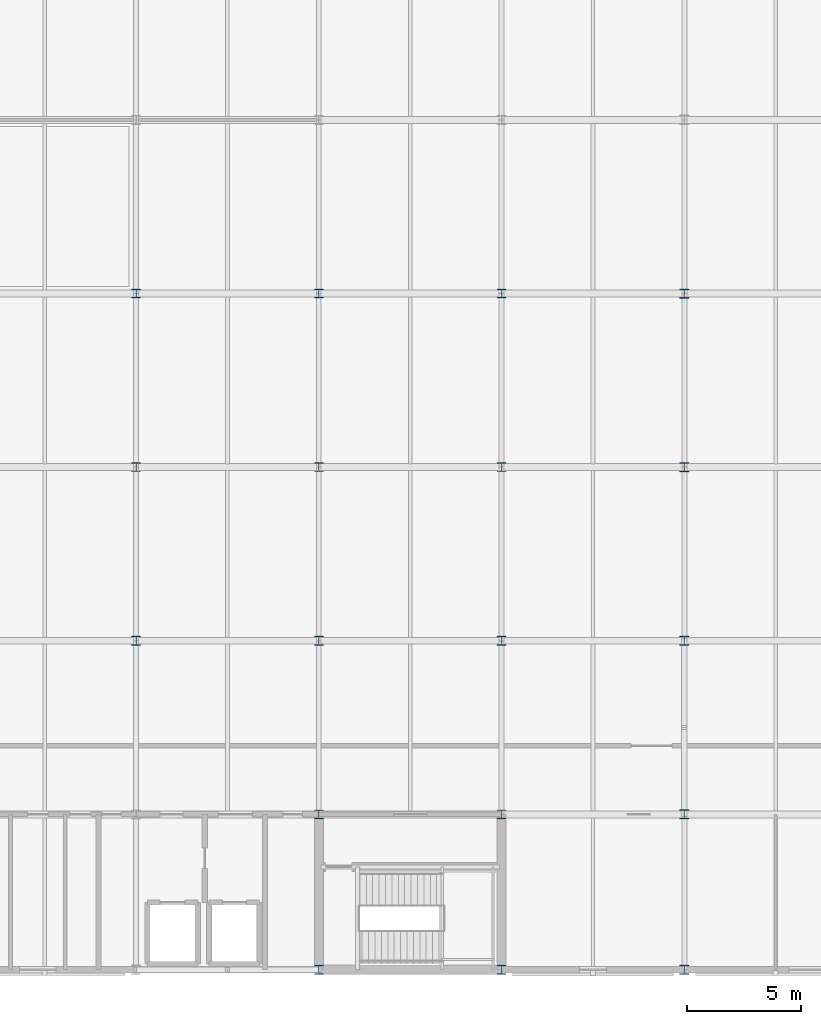
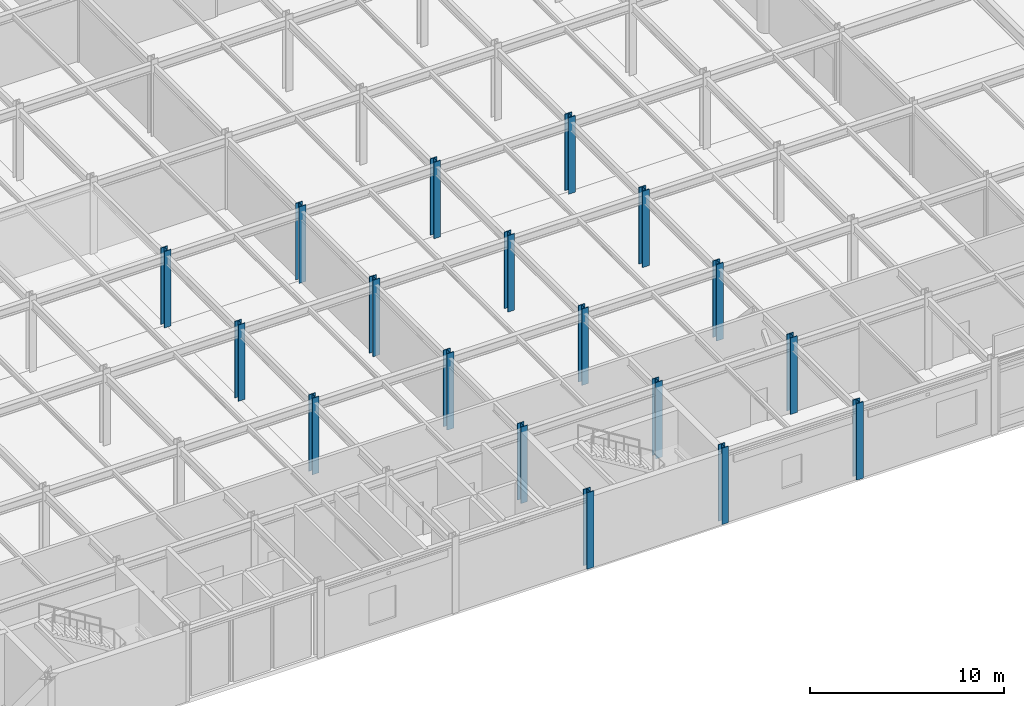
# One storey, part 2 of 43: 18 columns.
"""IFC4 building model written with IfcOpenShell, lengths in metres."""

import ifcopenshell
import ifcopenshell.guid

model = None  # the IFC model being written
_history = None  # IfcOwnerHistory: only IFC2X3 demands one
_inside = {}  # id of a spatial element -> (the spatial element, [elements in it])
_under = {}  # id of a project, library or spatial element -> (it, [spatial elements below it])
_declared = {}  # id of a project -> (the project, [libraries it declares])
_typed = {}  # id of a type object -> (the type object, [elements of that type])
_made_of = {}  # id of a material, layer set ... -> (it, [elements and type objects made of it])


def new_model(schema):
    """Start an empty IFC model of exactly this schema.

    Asked for "IFC4X3", IfcOpenShell would pick the latest addendum, in which some entities
    have other attributes; the version numbers below select the first issue.
    IFC2X3 requires an IfcOwnerHistory on every rooted entity: one is made here for all.
    """
    global model, _history
    if schema == "IFC4X3":
        model = ifcopenshell.file(schema_version=(4, 3, 0, 0))
    else:
        model = ifcopenshell.file(schema=schema)
    _inside.clear()
    _under.clear()
    _declared.clear()
    _typed.clear()
    _made_of.clear()
    _history = None
    if model.schema == "IFC2X3":
        org = make("IfcOrganization", Name="unknown")
        user = make(
            "IfcPersonAndOrganization",
            ThePerson=make("IfcPerson", FamilyName="unknown"),
            TheOrganization=org,
        )
        app = make(
            "IfcApplication",
            ApplicationDeveloper=org,
            Version="unknown",
            ApplicationFullName="unknown",
            ApplicationIdentifier="unknown",
        )
        _history = make(
            "IfcOwnerHistory",
            OwningUser=user,
            OwningApplication=app,
            ChangeAction="ADDED",
            CreationDate=0,
        )
    return model


def make(cls, **values):
    """One entity of the class cls with the attributes given. An attribute that is None is left unset."""
    return model.create_entity(
        cls, **{name: value for name, value in values.items() if value is not None}
    )


def rooted(cls, **values):
    """An entity with a GlobalId (a new one), such as an element, a storey or a relation."""
    return make(cls, GlobalId=ifcopenshell.guid.new(), OwnerHistory=_history, **values)


def si_unit(unit_type, name, prefix=None):
    """IfcSIUnit, for example si_unit("LENGTHUNIT", "METRE", prefix="MILLI")."""
    return make("IfcSIUnit", UnitType=unit_type, Prefix=prefix, Name=name)


def assignment(units):
    """IfcUnitAssignment: the units of a project."""
    return None if units is None else make("IfcUnitAssignment", Units=units)


def point(xyz):
    """IfcCartesianPoint."""
    return None if xyz is None else make("IfcCartesianPoint", Coordinates=xyz)


def direction(xyz):
    """IfcDirection."""
    return None if xyz is None else make("IfcDirection", DirectionRatios=xyz)


def frame(location, z_axis=None, x_axis=None):
    """IfcAxis2Placement3D, a coordinate frame: its origin and axes. An axis left out is left unset."""
    return make(
        "IfcAxis2Placement3D",
        Location=point(location),
        Axis=direction(z_axis),
        RefDirection=direction(x_axis),
    )


def frame_2d(location, x_axis=None):
    """IfcAxis2Placement2D, a coordinate frame in the plane: its origin and x axis."""
    return make(
        "IfcAxis2Placement2D", Location=point(location), RefDirection=direction(x_axis)
    )


def origin():
    """The frame at (0, 0, 0) with its axes left unset."""
    return frame((0.0, 0.0, 0.0))


def origin_2d():
    """The frame at (0, 0) in the plane with its x axis left unset."""
    return frame_2d((0.0, 0.0))


def place(relative_to, where):
    """IfcLocalPlacement: puts the frame where relative to a parent placement (None: the world)."""
    return make(
        "IfcLocalPlacement", PlacementRelTo=relative_to, RelativePlacement=where
    )


def context(
    kind, dimensions, precision=None, world=None, true_north=None, identifier=None
):
    """IfcGeometricRepresentationContext, for example the 3D "Model" context."""
    return make(
        "IfcGeometricRepresentationContext",
        ContextIdentifier=identifier,
        ContextType=kind,
        CoordinateSpaceDimension=dimensions,
        Precision=precision,
        WorldCoordinateSystem=world,
        TrueNorth=true_north,
    )


def subcontext(parent, identifier, kind, view, scale=None):
    """IfcGeometricRepresentationSubContext, for example "Body" below "Model"."""
    return make(
        "IfcGeometricRepresentationSubContext",
        ContextIdentifier=identifier,
        ContextType=kind,
        ParentContext=parent,
        TargetScale=scale,
        TargetView=view,
    )


def project(units=None, contexts=None):
    """IfcProject with its units and contexts."""
    return rooted(
        "IfcProject",
        Name="project",
        RepresentationContexts=contexts,
        UnitsInContext=assignment(units),
    )


def spatial(cls, under=None, at=None, **own):
    """A site, building, storey or space (cls), placed at a placement, below another one or the project."""
    s = rooted(cls, ObjectPlacement=at, **own)
    if under is not None:
        _under.setdefault(under.id(), (under, []))[1].append(s)
    return s


def profile(cls, at=None, kind="AREA", **sizes):
    """A parametric profile (cls). Its sizes go by their IFC names, for example OverallWidth=200.0."""
    return make(cls, ProfileType=kind, Position=at, **sizes)


def i_section(**sizes):
    """IfcIShapeProfileDef."""
    return profile("IfcIShapeProfileDef", **sizes)


def extrude(swept, where, along, depth):
    """IfcExtrudedAreaSolid: the profile swept, set in the frame where, extruded along a direction by depth."""
    return make(
        "IfcExtrudedAreaSolid",
        SweptArea=swept,
        Position=where,
        ExtrudedDirection=direction(along),
        Depth=depth,
    )


def shape(context_of_items, identifier, shape_type, items):
    """IfcShapeRepresentation: the items that make up one representation, for example the "Body"."""
    return make(
        "IfcShapeRepresentation",
        ContextOfItems=context_of_items,
        RepresentationIdentifier=identifier,
        RepresentationType=shape_type,
        Items=items,
    )


def material(Name=None, Category=None):
    """IfcMaterial."""
    return make("IfcMaterial", Name=Name, Category=Category)


def material_profile(
    of_material, cross_section, Name=None, Category=None, Priority=None
):
    """IfcMaterialProfile: a cross section and its material."""
    return make(
        "IfcMaterialProfile",
        Name=Name,
        Material=of_material,
        Profile=cross_section,
        Priority=Priority,
        Category=Category,
    )


def profile_set(profiles, Name=None, composite=None):
    """IfcMaterialProfileSet."""
    return make(
        "IfcMaterialProfileSet",
        Name=Name,
        MaterialProfiles=profiles,
        CompositeProfile=composite,
    )


def made_of(thing, what):
    """Note that an element or type object is made of a material, layer set ...; save() writes the relation."""
    if what is not None:
        _made_of.setdefault(what.id(), (what, []))[1].append(thing)
    return thing


def type_object(cls, material=None, **own):
    """A type object (cls), such as IfcWallType, which elements share."""
    return made_of(rooted(cls, **own), material)


def element(
    cls,
    number,
    at=None,
    inside=None,
    cuts=None,
    type_object=None,
    material=None,
    context=None,
    identifier="Body",
    shape_type=None,
    held_by="IfcProductDefinitionShape",
    body=None,
    shapes=None,
    **own,
):
    """One element of the class cls, such as IfcWall. Its Tag is "e" and its number.

    at: its placement. inside: the storey or other place that contains it. cuts: it is an
    opening in that element (IfcRelVoidsElement). A single representation is given by context,
    identifier, shape_type and body (its items); several are given by shapes. held_by: the class
    of the entity that holds the representations. save() writes the other relations.
    """
    e = rooted(cls, Tag="e%d" % number, ObjectPlacement=at, **own)
    if body is not None:
        shapes = [shape(context, identifier, shape_type, body)]
    if shapes is not None:
        e.Representation = make(held_by, Representations=shapes)
    if inside is not None:
        _inside.setdefault(inside.id(), (inside, []))[1].append(e)
    if cuts is not None:
        rooted(
            "IfcRelVoidsElement", RelatingBuildingElement=cuts, RelatedOpeningElement=e
        )
    if type_object is not None:
        _typed.setdefault(type_object.id(), (type_object, []))[1].append(e)
    return made_of(e, material)


def aggregate(whole, parts):
    """IfcRelAggregates: a whole, such as a stair, and the parts it consists of."""
    return rooted("IfcRelAggregates", RelatingObject=whole, RelatedObjects=parts)


def save(model, path):
    """Write the relations noted so far, then the file.

    IfcRelAggregates (storeys below a building ...), IfcRelContainedInSpatialStructure (elements
    in a storey), IfcRelDefinesByType, IfcRelAssociatesMaterial and IfcRelDeclares: one each for
    every whole, place, type object, material and project.
    """
    for whole, parts in _under.values():
        aggregate(whole, parts)
    for where, things in _inside.values():
        rooted(
            "IfcRelContainedInSpatialStructure",
            RelatedElements=things,
            RelatingStructure=where,
        )
    for kind, things in _typed.values():
        rooted("IfcRelDefinesByType", RelatedObjects=things, RelatingType=kind)
    for what, things in _made_of.values():
        rooted("IfcRelAssociatesMaterial", RelatedObjects=things, RelatingMaterial=what)
    for by, libraries in _declared.values():
        rooted("IfcRelDeclares", RelatingContext=by, RelatedDefinitions=libraries)
    model.write(path)


model = new_model("IFC4")

# Units and contexts
model_context = context("Model", 3, precision=1e-05, world=origin(), true_north=direction((0.0, 1.0)))
body_context = subcontext(model_context, "Body", "Model", "MODEL_VIEW")
ifc_project = project(units=[si_unit("LENGTHUNIT", "METRE"), si_unit("AREAUNIT", "SQUARE_METRE"), si_unit("VOLUMEUNIT", "CUBIC_METRE"), si_unit("PLANEANGLEUNIT", "RADIAN"), si_unit("MASSUNIT", "GRAM", prefix="KILO")], contexts=[model_context])

# Site, building, storey
site_placement = place(None, origin())
site = spatial("IfcSite", under=ifc_project, at=site_placement, CompositionType="ELEMENT")
building_placement = place(site_placement, origin())
building = spatial("IfcBuilding", under=site, at=building_placement, Name="Shalkamar Park Central Library", CompositionType="ELEMENT")
storey_placement = place(building_placement, frame((0.0, 0.0, 15.60009765625)))
storey = spatial("IfcBuildingStorey", under=building, at=storey_placement, Name="L04", CompositionType="ELEMENT", Elevation=15.60009765625)

# Columns
ifc_material = material(Name="Steel S355", Category="steel")
ifc_material_profile_1 = material_profile(ifc_material, i_section(OverallWidth=0.40087890625, OverallDepth=0.39892578125, WebThickness=0.02490234375, FlangeThickness=0.03955078125, FilletRadius=0.014892578125, at=origin_2d()), Name="HD 400x314")
ifc_profile_set_1 = profile_set([ifc_material_profile_1], Name="Steel S355")
column_type_1 = type_object("IfcColumnType", Name="Column Steel HD400x314", PredefinedType="COLUMN", material=ifc_profile_set_1)
for number, where, z_axis, x_axis, name in (
    (1, (189.0, 262.800048828125, 0.0), (0.0, 0.0, 1.0), (1.0, 0.0, 0.0), "Column 10/D (L04)"),
    (2, (189.0, 270.39990234375, 0.0), (0.0, 0.0, 1.0), (1.0, 0.0, 0.0), "Column 10/E (L04)"),
    (3, (189.0, 278.0, 0.0), (0.0, 0.0, 1.0), (1.0, 0.0, 0.0), "Column 10/F (L04)"),
    (4, (197.0, 248.39990234375, 0.0), (0.0, 0.0, 1.0), (1.0, 0.0, 0.0), "Column 11/B (L04)"),
    (5, (197.0, 255.199951171875, 0.0), (0.0, 0.0, 1.0), (1.0, 0.0, 0.0), "Column 11/C (L04)"),
    (6, (197.0, 262.800048828125, 0.0), (0.0, 0.0, 1.0), (1.0, 0.0, 0.0), "Column 11/D (L04)"),
    (7, (197.0, 270.39990234375, 0.0), (0.0, 0.0, 1.0), (1.0, 0.0, 0.0), "Column 11/E (L04)"),
    (8, (197.0, 278.0, 0.0), (0.0, 0.0, 1.0), (1.0, 0.0, 0.0), "Column 11/F (L04)"),
    (9, (205.0, 248.39990234375, 0.0), (0.0, 0.0, 1.0), (1.0, 0.0, 0.0), "Column 12/B (L04)"),
    (10, (205.0, 255.199951171875, 0.0), (0.0, 0.0, 1.0), (1.0, 0.0, 0.0), "Column 12/C (L04)"),
    (11, (205.0, 262.800048828125, 0.0), (0.0, 0.0, 1.0), (1.0, 0.0, 0.0), "Column 12/D (L04)"),
    (12, (205.0, 270.39990234375, 0.0), (0.0, 0.0, 1.0), (1.0, 0.0, 0.0), "Column 12/E (L04)"),
    (13, (205.0, 278.0, 0.0), (0.0, 0.0, 1.0), (1.0, 0.0, 0.0), "Column 12/F (L04)"),
):
    element("IfcColumn", number, at=place(storey_placement, frame(where, z_axis=z_axis, x_axis=x_axis)), inside=storey, type_object=column_type_1, Name=name, PredefinedType="COLUMN", context=body_context, shape_type="SweptSolid", body=[
        extrude(i_section(OverallWidth=0.40087890625, OverallDepth=0.39892578125, WebThickness=0.02490234375, FlangeThickness=0.03955078125, FilletRadius=0.014892578125, at=origin_2d()), origin(), (0.0, 0.0, 1.0), 4.7998046875),
    ])
ifc_material_profile_2 = material_profile(ifc_material, i_section(OverallWidth=0.406005859375, OverallDepth=0.416015625, WebThickness=0.02978515625, FlangeThickness=0.048095703125, FilletRadius=0.014892578125, at=origin_2d()), Name="HD 400x382")
ifc_profile_set_2 = profile_set([ifc_material_profile_2], Name="Steel S355")
column_type_2 = type_object("IfcColumnType", Name="Column Steel HD400x382", PredefinedType="COLUMN", material=ifc_profile_set_2)
for number, where, z_axis, x_axis, name in (
    (14, (213.0, 248.39990234375, 0.0), (0.0, 0.0, 1.0), (1.0, 0.0, 0.0), "Column 13/B (L04)"),
    (15, (213.0, 255.199951171875, 0.0), (0.0, 0.0, 1.0), (1.0, 0.0, 0.0), "Column 13/C (L04)"),
    (16, (213.0, 262.800048828125, 0.0), (0.0, 0.0, 1.0), (1.0, 0.0, 0.0), "Column 13/D (L04)"),
    (17, (213.0, 270.39990234375, 0.0), (0.0, 0.0, 1.0), (1.0, 0.0, 0.0), "Column 13/E (L04)"),
    (18, (213.0, 278.0, 0.0), (0.0, 0.0, 1.0), (1.0, 0.0, 0.0), "Column 13/F (L04)"),
):
    element("IfcColumn", number, at=place(storey_placement, frame(where, z_axis=z_axis, x_axis=x_axis)), inside=storey, type_object=column_type_2, Name=name, PredefinedType="COLUMN", context=body_context, shape_type="SweptSolid", body=[
        extrude(i_section(OverallWidth=0.406005859375, OverallDepth=0.416015625, WebThickness=0.02978515625, FlangeThickness=0.048095703125, FilletRadius=0.014892578125, at=origin_2d()), origin(), (0.0, 0.0, 1.0), 4.7998046875),
    ])

save(model, "model.ifc")
